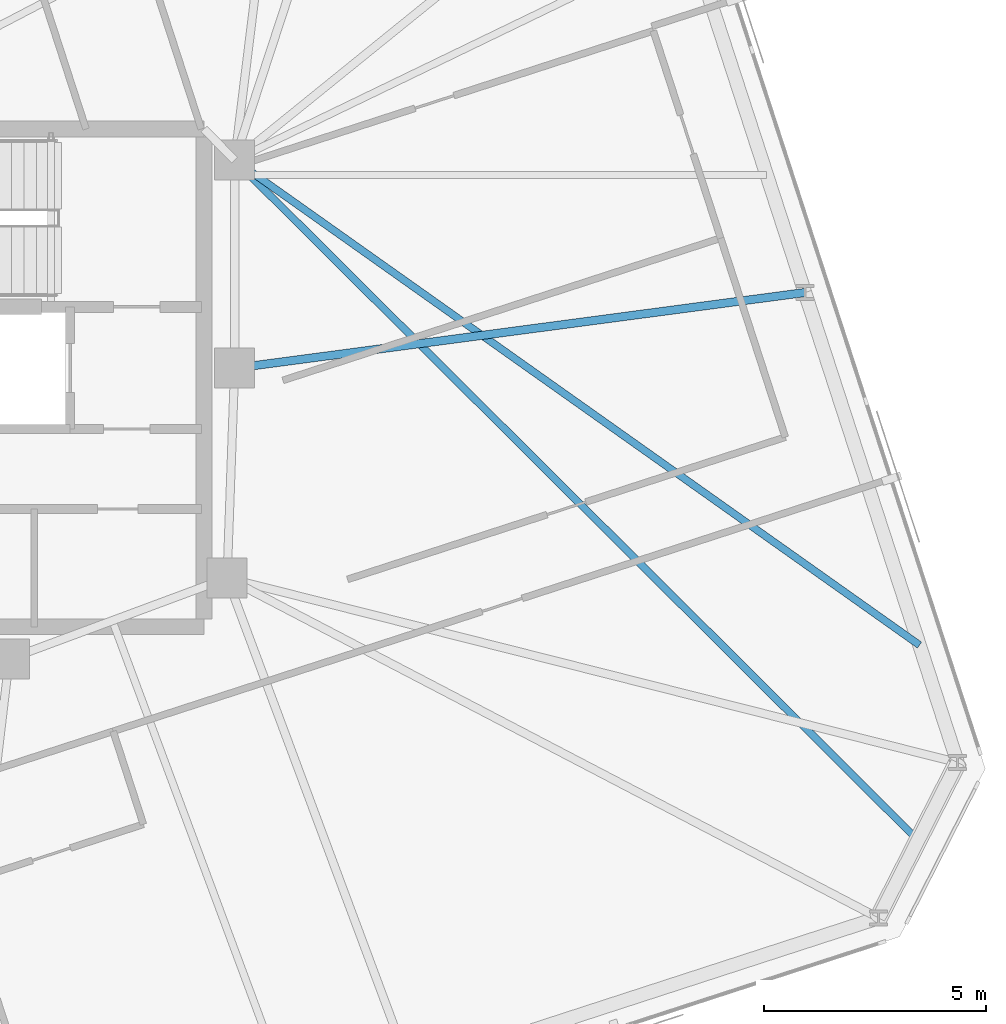
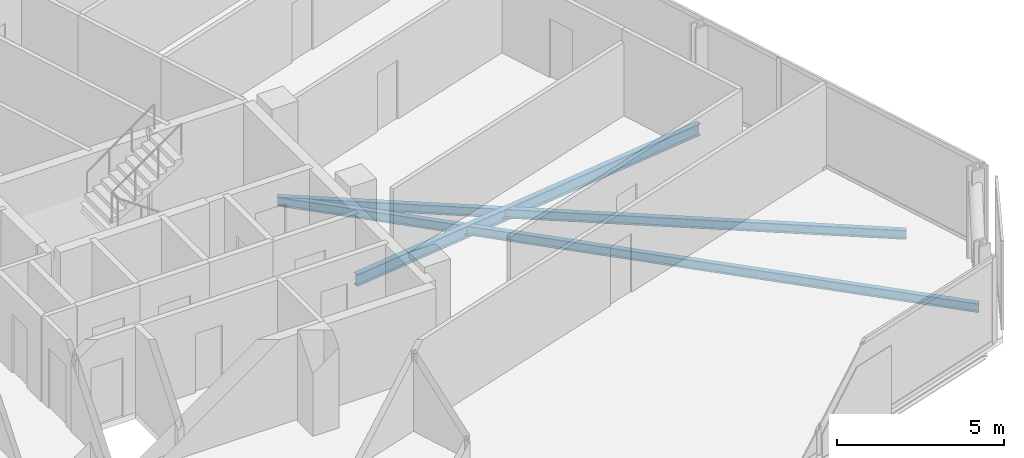
# One storey, part 8 of 20: 3 beams.
"""IFC4 building model written with IfcOpenShell, lengths in metres."""

from ifc_helpers import new_model, si_unit, direction, frame, origin, origin_2d, place, context, subcontext, project, spatial, i_section, extrude, material, material_profile, profile_set, type_object, element, save


model = new_model("IFC4")

# Units and contexts
model_context = context("Model", 3, precision=1e-05, world=origin(), true_north=direction((0.0, 1.0)))
body_context = subcontext(model_context, "Body", "Model", "MODEL_VIEW")
ifc_project = project(units=[si_unit("LENGTHUNIT", "METRE"), si_unit("AREAUNIT", "SQUARE_METRE"), si_unit("VOLUMEUNIT", "CUBIC_METRE"), si_unit("PLANEANGLEUNIT", "RADIAN"), si_unit("MASSUNIT", "GRAM", prefix="KILO")], contexts=[model_context])

# Site, building, storey
site_placement = place(None, origin())
site = spatial("IfcSite", under=ifc_project, at=site_placement, CompositionType="ELEMENT")
building_placement = place(site_placement, origin())
building = spatial("IfcBuilding", under=site, at=building_placement, Name="Menara Jurai Vektor", CompositionType="ELEMENT")
storey_placement = place(building_placement, frame((0.0, 0.0, 224.300048828125)))
storey = spatial("IfcBuildingStorey", under=building, at=storey_placement, Name="L59", CompositionType="ELEMENT", Elevation=224.300048828125)

# Beams
ifc_material = material(Name="Steel S355", Category="steel")
ifc_material_profile_1 = material_profile(ifc_material, i_section(OverallWidth=0.18505859375, OverallDepth=0.429931640625, WebThickness=0.010986328125, FlangeThickness=0.01806640625, at=origin_2d()), Name="PG 430x185x76")
ifc_profile_set_1 = profile_set([ifc_material_profile_1], Name="Steel S355")
beam_type_1 = type_object("IfcBeamType", Name="STR-BM-430", PredefinedType="BEAM", material=ifc_profile_set_1)
beam_1_placement = place(storey_placement, frame((28.07763671875, 1.92236328125, -0.43994140625), z_axis=(-0.99130829243, -0.131559375797, 0.0), x_axis=(0.131559375797, -0.99130829243, 0.0)))
element("IfcBeam", 1, at=beam_1_placement, inside=storey, type_object=beam_type_1, Name="Radial Floor Girder L59-E2", PredefinedType="BEAM", context=body_context, shape_type="SweptSolid", body=[
    extrude(i_section(OverallWidth=0.18505859375, OverallDepth=0.429931640625, WebThickness=0.010986328125, FlangeThickness=0.01806640625, at=origin_2d()), origin(), (0.0, 0.0, 1.0), 12.940185546875),
])
ifc_material_profile_2 = material_profile(ifc_material, i_section(OverallWidth=0.1650390625, OverallDepth=0.330078125, WebThickness=0.009033203125, FlangeThickness=0.013916015625, at=origin_2d()), Name="PG 330x165x46")
ifc_profile_set_2 = profile_set([ifc_material_profile_2], Name="Steel S355")
beam_type_2 = type_object("IfcBeamType", Name="STR-JS-330", PredefinedType="JOIST", material=ifc_profile_set_2)
beam_2_placement = place(storey_placement, frame((30.62353515625, -10.398681640625, -0.39013671875), z_axis=(-0.70883256901, 0.705376771032, 0.0), x_axis=(-0.705376771032, -0.70883256901, 0.0)))
element("IfcBeam", 2, at=beam_2_placement, inside=storey, type_object=beam_type_2, Name="Radial Secondary Floor Joist L59-JS09", PredefinedType="JOIST", context=body_context, shape_type="SweptSolid", body=[
    extrude(i_section(OverallWidth=0.1650390625, OverallDepth=0.330078125, WebThickness=0.009033203125, FlangeThickness=0.013916015625, at=origin_2d()), origin(), (0.0, 0.0, 1.0), 21.6884765625),
])
beam_3_placement = place(storey_placement, frame((30.654296875, -6.00830078125, -0.39013671875), z_axis=(-0.816103783972, 0.577905367501, 0.0), x_axis=(-0.577905367501, -0.816103783972, 0.0)))
element("IfcBeam", 3, at=beam_3_placement, inside=storey, type_object=beam_type_2, Name="Radial Secondary Floor Joist L59-JS10", PredefinedType="JOIST", context=body_context, shape_type="SweptSolid", body=[
    extrude(i_section(OverallWidth=0.1650390625, OverallDepth=0.330078125, WebThickness=0.009033203125, FlangeThickness=0.013916015625, at=origin_2d()), origin(), (0.0, 0.0, 1.0), 18.87548828125),
])

save(model, "model.ifc")
